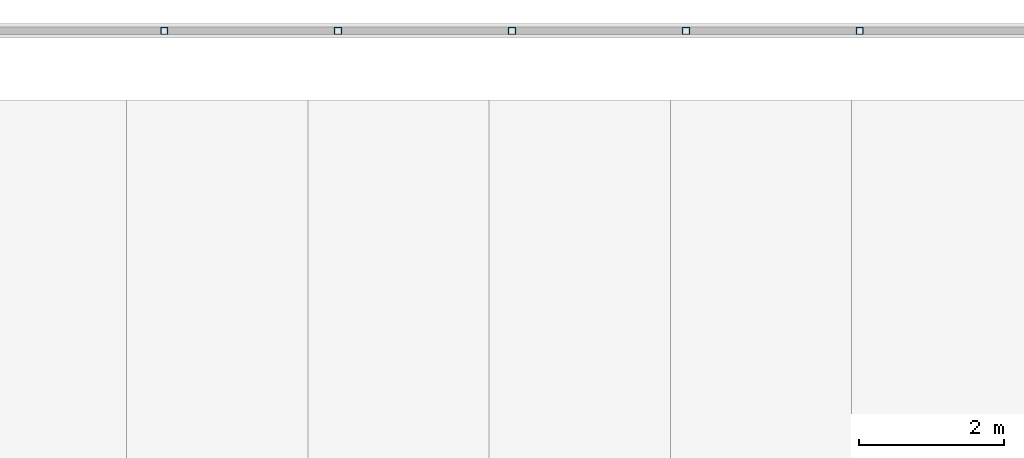
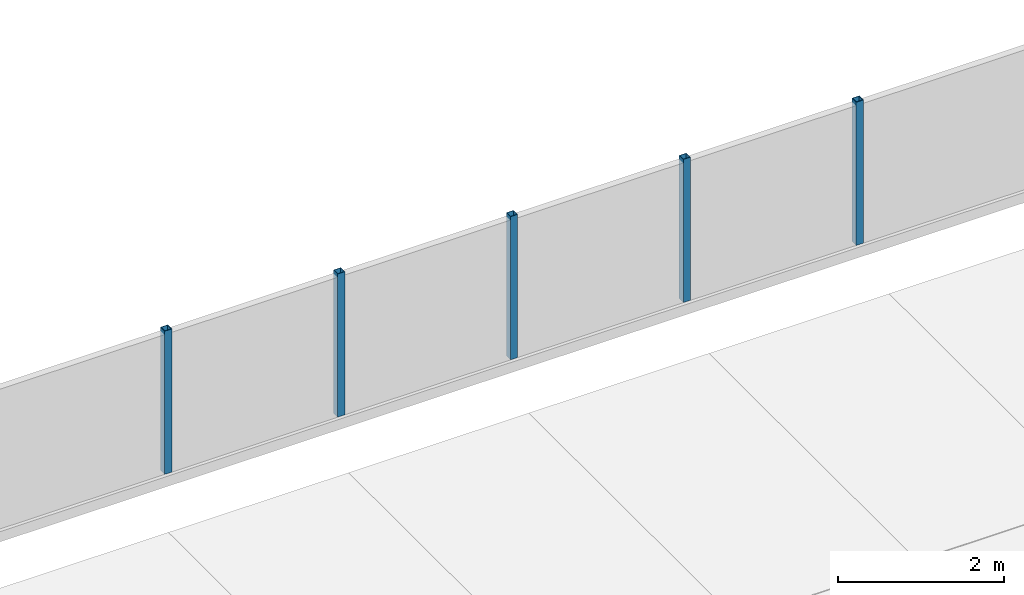
# One storey, part 24 of 129: 5 members.
"""IFC4 building model written with IfcOpenShell, lengths in metres."""

from ifc_helpers import new_model, si_unit, direction, frame, origin, origin_2d, place, context, subcontext, project, spatial, hollow_rectangle, extrude, material, material_profile, profile_set, type_object, element, save


model = new_model("IFC4")

# Units and contexts
model_context = context("Model", 3, precision=1e-05, world=origin(), true_north=direction((0.0, 1.0)))
body_context = subcontext(model_context, "Body", "Model", "MODEL_VIEW")
ifc_project = project(units=[si_unit("LENGTHUNIT", "METRE"), si_unit("AREAUNIT", "SQUARE_METRE"), si_unit("VOLUMEUNIT", "CUBIC_METRE"), si_unit("PLANEANGLEUNIT", "RADIAN"), si_unit("MASSUNIT", "GRAM", prefix="KILO")], contexts=[model_context])

# Site, building, storey
site_placement = place(None, origin())
site = spatial("IfcSite", under=ifc_project, at=site_placement, CompositionType="ELEMENT")
building_placement = place(site_placement, origin())
building = spatial("IfcBuilding", under=site, at=building_placement, Name="Kiln Court Media Centre", CompositionType="ELEMENT")
storey_placement = place(building_placement, origin())
storey = spatial("IfcBuildingStorey", under=building, at=storey_placement, Name="L00", CompositionType="ELEMENT", Elevation=0.0)

# Members
ifc_material = material(Name="Steel ASTM A500 Gr C", Category="steel")
ifc_material_profile = material_profile(ifc_material, hollow_rectangle(XDim=0.10009765625, YDim=0.10009765625, WallThickness=0.00634765625, at=origin_2d()), Name="SHS 100x100x6.3")
ifc_profile_set = profile_set([ifc_material_profile], Name="Steel ASTM A500 Gr C")
member_type = type_object("IfcMemberType", Name="Steel ASTM A500 Gr C fence post SHS 100x100x6.3", PredefinedType="USERDEFINED", material=ifc_profile_set)
for number, where, z_axis, x_axis, name in (
    (1, (52.819580078125, 87.85009765625, -1.050048828125), (0.0, 0.0, 1.0), (1.0, 0.0, 0.0), "Fence post 21"),
    (2, (55.218017578125, 87.85009765625, -1.050048828125), (0.0, 0.0, 1.0), (1.0, 0.0, 0.0), "Fence post 22"),
    (3, (57.61669921875, 87.85009765625, -1.050048828125), (0.0, 0.0, 1.0), (1.0, 0.0, 0.0), "Fence post 23"),
    (4, (60.01513671875, 87.85009765625, -1.050048828125), (0.0, 0.0, 1.0), (1.0, 0.0, 0.0), "Fence post 24"),
    (5, (62.41357421875, 87.85009765625, -1.050048828125), (0.0, 0.0, 1.0), (1.0, 0.0, 0.0), "Fence post 25"),
):
    element("IfcMember", number, at=place(storey_placement, frame(where, z_axis=z_axis, x_axis=x_axis)), inside=storey, type_object=member_type, Name=name, ObjectType="FENCE POST", PredefinedType="USERDEFINED", context=body_context, shape_type="SweptSolid", body=[
        extrude(hollow_rectangle(XDim=0.10009765625, YDim=0.10009765625, WallThickness=0.00634765625, at=origin_2d()), origin(), (0.0, 0.0, 1.0), 2.10009765625),
    ])

save(model, "model.ifc")
